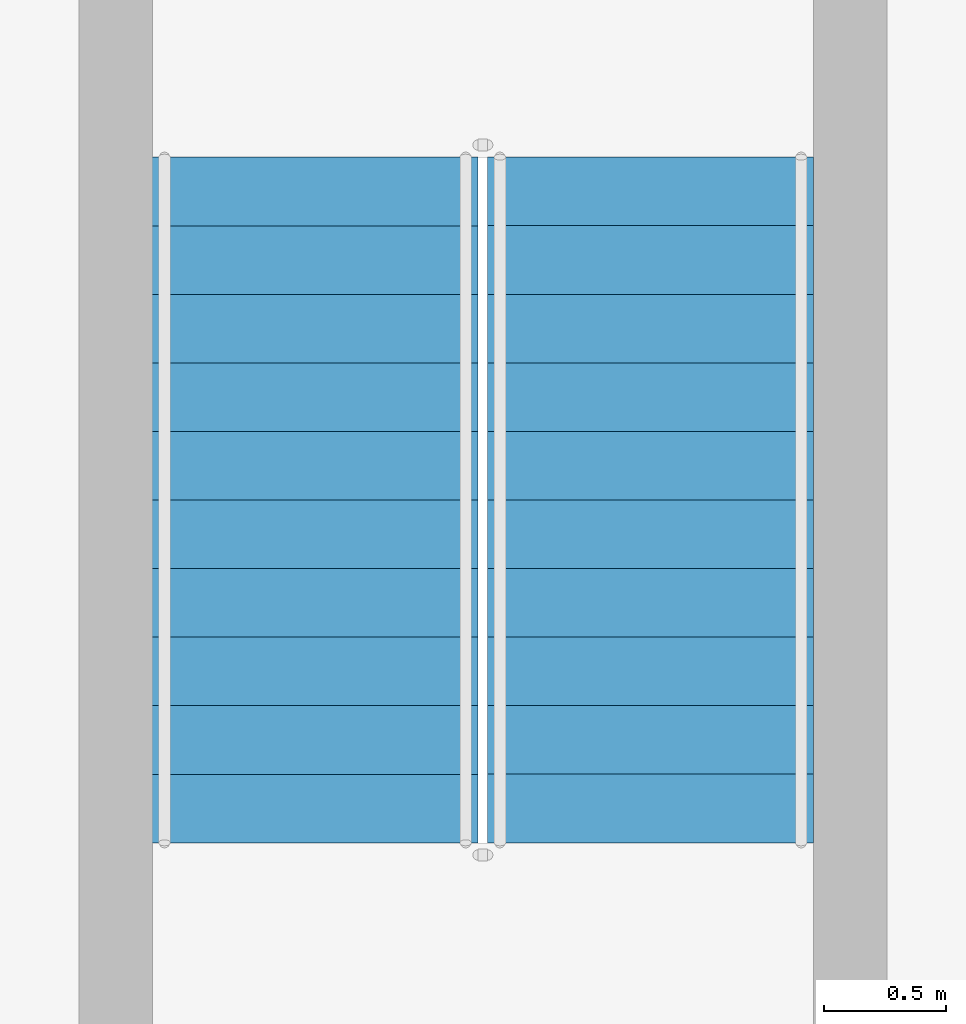
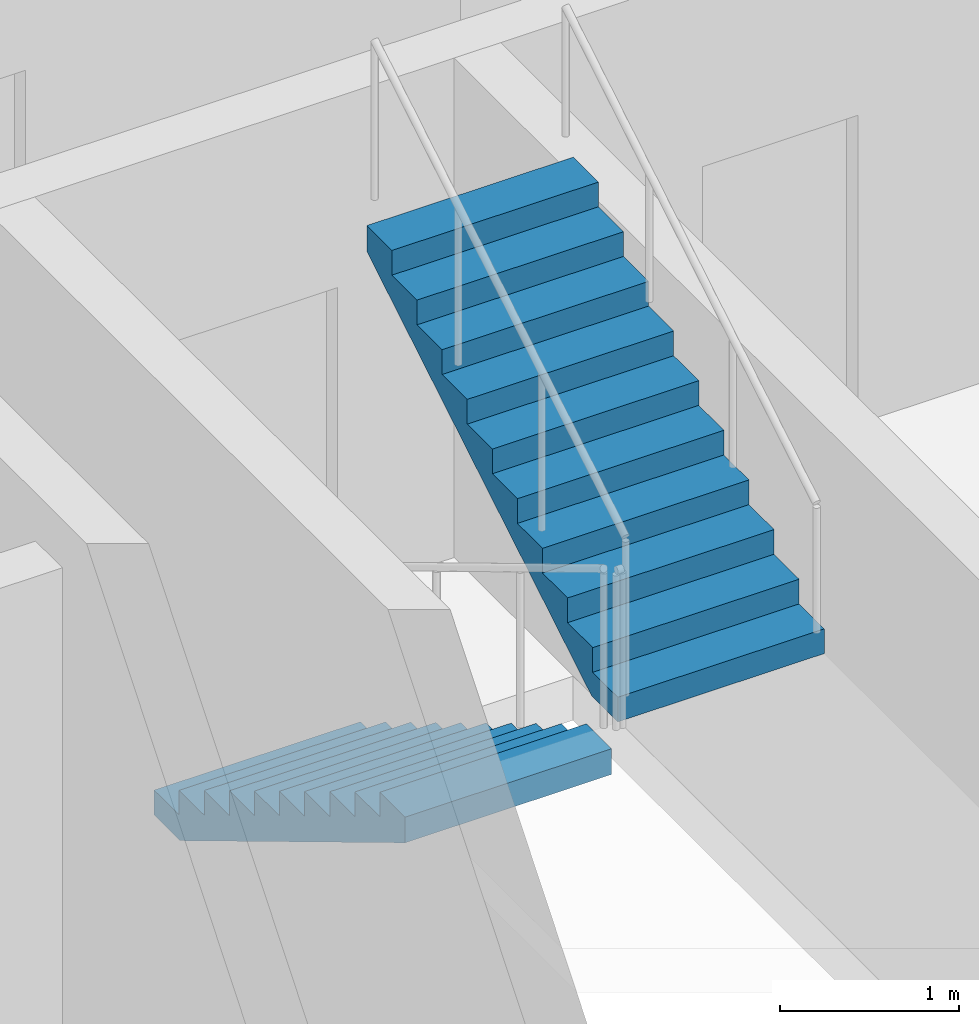
# One storey, part 25 of 31: 2 stair flights, 1 element without a shape of its own.
"""IFC4 building model written with IfcOpenShell, lengths in metres."""

from ifc_helpers import new_model, si_unit, direction, frame, origin, place, context, subcontext, project, spatial, triangles, source, transform, mapped, material, type_object, element, aggregate, save


model = new_model("IFC4")

# Units and contexts
model_context = context("Model", 3, precision=1e-05, world=origin(), true_north=direction((0.0, 1.0)))
body_context = subcontext(model_context, "Body", "Model", "MODEL_VIEW")
ifc_project = project(units=[si_unit("LENGTHUNIT", "METRE"), si_unit("AREAUNIT", "SQUARE_METRE"), si_unit("VOLUMEUNIT", "CUBIC_METRE"), si_unit("PLANEANGLEUNIT", "RADIAN"), si_unit("MASSUNIT", "GRAM", prefix="KILO")], contexts=[model_context])

# Site, building, storey
site_placement = place(None, origin())
site = spatial("IfcSite", under=ifc_project, at=site_placement, CompositionType="ELEMENT")
building_placement = place(site_placement, origin())
building = spatial("IfcBuilding", under=site, at=building_placement, Name="Ogive Portal Towers", CompositionType="ELEMENT")
storey_placement = place(building_placement, frame((0.0, 0.0, 40.89990234375)))
storey = spatial("IfcBuildingStorey", under=building, at=storey_placement, Name="L08", CompositionType="ELEMENT", Elevation=40.89990234375)

# Stair, stair flights
ifc_material = material(Name="Concrete C40/50", Category="concrete")
stair_type = type_object("IfcStairType", Name="INT-STAIR", PredefinedType="HALF_TURN_STAIR", material=ifc_material)
stair_placement = place(storey_placement, origin())
stair = element("IfcStair", 1, at=stair_placement, inside=storey, type_object=stair_type, Name="L08 Exit Stair ST-A4", PredefinedType="HALF_TURN_STAIR")
stair_flight_type = type_object("IfcStairFlightType", Name="INT-FLIGHT", PredefinedType="STRAIGHT", material=ifc_material)
shared_shape = source(origin(), body_context, "Body", "Tessellation", [
    triangles([(0.0, -0.6650390625, 0.0), (0.0, -0.384765625, 0.0), (0.0, -0.197021484375, 0.0), (0.0, -0.0830078125, 0.0), (0.0, -0.024658203125, 0.0), (0.0, -0.003173828125, 0.0), (0.0, 0.0, 0.0), (0.0, 0.003173828125, 0.0), (0.0, 0.024658203125, 0.0), (0.0, 0.0830078125, 0.0), (0.0, 0.197021484375, 0.0), (0.0, 0.384765625, 0.0), (0.0, 0.6650390625, 0.0), (0.0, -0.6650390625, 0.168212890625), (0.0, -0.384765625, 0.168212890625), (0.0, -0.197021484375, 0.168212890625), (0.0, -0.0830078125, 0.168212890625), (0.0, -0.024658203125, 0.168212890625), (0.0, -0.003173828125, 0.168212890625), (0.0, 0.0, 0.168212890625), (0.0, 0.003173828125, 0.168212890625), (0.0, 0.024658203125, 0.168212890625), (0.0, 0.0830078125, 0.168212890625), (0.0, 0.197021484375, 0.168212890625), (0.0, 0.384765625, 0.168212890625), (0.0, 0.6650390625, 0.168212890625), (0.280029296875, -0.6650390625, 0.168212890625), (0.280029296875, -0.384765625, 0.168212890625), (0.280029296875, -0.197021484375, 0.168212890625), (0.280029296875, -0.0830078125, 0.168212890625), (0.280029296875, -0.024658203125, 0.168212890625), (0.280029296875, -0.003173828125, 0.168212890625), (0.280029296875, 0.0, 0.168212890625), (0.280029296875, 0.003173828125, 0.168212890625), (0.280029296875, 0.024658203125, 0.168212890625), (0.280029296875, 0.0830078125, 0.168212890625), (0.280029296875, 0.197021484375, 0.168212890625), (0.280029296875, 0.384765625, 0.168212890625), (0.280029296875, 0.6650390625, 0.168212890625), (0.280029296875, -0.6650390625, 0.33642578125), (0.280029296875, -0.384765625, 0.33642578125), (0.280029296875, -0.197021484375, 0.33642578125), (0.280029296875, -0.0830078125, 0.33642578125), (0.280029296875, -0.024658203125, 0.33642578125), (0.280029296875, -0.003173828125, 0.33642578125), (0.280029296875, 0.0, 0.33642578125), (0.280029296875, 0.003173828125, 0.33642578125), (0.280029296875, 0.024658203125, 0.33642578125), (0.280029296875, 0.0830078125, 0.33642578125), (0.280029296875, 0.197021484375, 0.33642578125), (0.280029296875, 0.384765625, 0.33642578125), (0.280029296875, 0.6650390625, 0.33642578125), (0.56005859375, -0.6650390625, 0.33642578125), (0.56005859375, -0.384765625, 0.33642578125), (0.56005859375, -0.197021484375, 0.33642578125), (0.56005859375, -0.0830078125, 0.33642578125), (0.56005859375, -0.024658203125, 0.33642578125), (0.56005859375, -0.003173828125, 0.33642578125), (0.56005859375, 0.0, 0.33642578125), (0.56005859375, 0.003173828125, 0.33642578125), (0.56005859375, 0.024658203125, 0.33642578125), (0.56005859375, 0.0830078125, 0.33642578125), (0.56005859375, 0.197021484375, 0.33642578125), (0.56005859375, 0.384765625, 0.33642578125), (0.56005859375, 0.6650390625, 0.33642578125), (0.56005859375, -0.6650390625, 0.504638671875), (0.56005859375, -0.384765625, 0.504638671875), (0.56005859375, -0.197021484375, 0.504638671875), (0.56005859375, -0.0830078125, 0.504638671875), (0.56005859375, -0.024658203125, 0.504638671875), (0.56005859375, -0.003173828125, 0.504638671875), (0.56005859375, 0.0, 0.504638671875), (0.56005859375, 0.003173828125, 0.504638671875), (0.56005859375, 0.024658203125, 0.504638671875), (0.56005859375, 0.0830078125, 0.504638671875), (0.56005859375, 0.197021484375, 0.504638671875), (0.56005859375, 0.384765625, 0.504638671875), (0.56005859375, 0.6650390625, 0.504638671875), (0.840087890625, -0.6650390625, 0.504638671875), (0.840087890625, -0.384765625, 0.504638671875), (0.840087890625, -0.197021484375, 0.504638671875), (0.840087890625, -0.0830078125, 0.504638671875), (0.840087890625, -0.024658203125, 0.504638671875), (0.840087890625, -0.003173828125, 0.504638671875), (0.840087890625, 0.0, 0.504638671875), (0.840087890625, 0.003173828125, 0.504638671875), (0.840087890625, 0.024658203125, 0.504638671875), (0.840087890625, 0.0830078125, 0.504638671875), (0.840087890625, 0.197021484375, 0.504638671875), (0.840087890625, 0.384765625, 0.504638671875), (0.840087890625, 0.6650390625, 0.504638671875), (0.840087890625, -0.6650390625, 0.672607421875), (0.840087890625, -0.384765625, 0.672607421875), (0.840087890625, -0.197021484375, 0.672607421875), (0.840087890625, -0.0830078125, 0.672607421875), (0.840087890625, -0.024658203125, 0.672607421875), (0.840087890625, -0.003173828125, 0.672607421875), (0.840087890625, 0.0, 0.672607421875), (0.840087890625, 0.003173828125, 0.672607421875), (0.840087890625, 0.024658203125, 0.672607421875), (0.840087890625, 0.0830078125, 0.672607421875), (0.840087890625, 0.197021484375, 0.672607421875), (0.840087890625, 0.384765625, 0.672607421875), (0.840087890625, 0.6650390625, 0.672607421875), (1.1201171875, -0.6650390625, 0.672607421875), (1.1201171875, -0.384765625, 0.672607421875), (1.1201171875, -0.197021484375, 0.672607421875), (1.1201171875, -0.0830078125, 0.672607421875), (1.1201171875, -0.024658203125, 0.672607421875), (1.1201171875, -0.003173828125, 0.672607421875), (1.1201171875, 0.0, 0.672607421875), (1.1201171875, 0.003173828125, 0.672607421875), (1.1201171875, 0.024658203125, 0.672607421875), (1.1201171875, 0.0830078125, 0.672607421875), (1.1201171875, 0.197021484375, 0.672607421875), (1.1201171875, 0.384765625, 0.672607421875), (1.1201171875, 0.6650390625, 0.672607421875), (1.1201171875, -0.6650390625, 0.8408203125), (1.1201171875, -0.384765625, 0.8408203125), (1.1201171875, -0.197021484375, 0.8408203125), (1.1201171875, -0.0830078125, 0.8408203125), (1.1201171875, -0.024658203125, 0.8408203125), (1.1201171875, -0.003173828125, 0.8408203125), (1.1201171875, 0.0, 0.8408203125), (1.1201171875, 0.003173828125, 0.8408203125), (1.1201171875, 0.024658203125, 0.8408203125), (1.1201171875, 0.0830078125, 0.8408203125), (1.1201171875, 0.197021484375, 0.8408203125), (1.1201171875, 0.384765625, 0.8408203125), (1.1201171875, 0.6650390625, 0.8408203125), (1.39990234375, -0.6650390625, 0.8408203125), (1.39990234375, -0.384765625, 0.8408203125), (1.39990234375, -0.197021484375, 0.8408203125), (1.39990234375, -0.0830078125, 0.8408203125), (1.39990234375, -0.024658203125, 0.8408203125), (1.39990234375, -0.003173828125, 0.8408203125), (1.39990234375, 0.0, 0.8408203125), (1.39990234375, 0.003173828125, 0.8408203125), (1.39990234375, 0.024658203125, 0.8408203125), (1.39990234375, 0.0830078125, 0.8408203125), (1.39990234375, 0.197021484375, 0.8408203125), (1.39990234375, 0.384765625, 0.8408203125), (1.39990234375, 0.6650390625, 0.8408203125), (1.39990234375, -0.6650390625, 1.009033203125), (1.39990234375, -0.384765625, 1.009033203125), (1.39990234375, -0.197021484375, 1.009033203125), (1.39990234375, -0.0830078125, 1.009033203125), (1.39990234375, -0.024658203125, 1.009033203125), (1.39990234375, -0.003173828125, 1.009033203125), (1.39990234375, 0.0, 1.009033203125), (1.39990234375, 0.003173828125, 1.009033203125), (1.39990234375, 0.024658203125, 1.009033203125), (1.39990234375, 0.0830078125, 1.009033203125), (1.39990234375, 0.197021484375, 1.009033203125), (1.39990234375, 0.384765625, 1.009033203125), (1.39990234375, 0.6650390625, 1.009033203125), (1.679931640625, -0.6650390625, 1.009033203125), (1.679931640625, -0.384765625, 1.009033203125), (1.679931640625, -0.197021484375, 1.009033203125), (1.679931640625, -0.0830078125, 1.009033203125), (1.679931640625, -0.024658203125, 1.009033203125), (1.679931640625, -0.003173828125, 1.009033203125), (1.679931640625, 0.0, 1.009033203125), (1.679931640625, 0.003173828125, 1.009033203125), (1.679931640625, 0.024658203125, 1.009033203125), (1.679931640625, 0.0830078125, 1.009033203125), (1.679931640625, 0.197021484375, 1.009033203125), (1.679931640625, 0.384765625, 1.009033203125), (1.679931640625, 0.6650390625, 1.009033203125), (1.679931640625, -0.6650390625, 1.17724609375), (1.679931640625, -0.384765625, 1.17724609375), (1.679931640625, -0.197021484375, 1.17724609375), (1.679931640625, -0.0830078125, 1.17724609375), (1.679931640625, -0.024658203125, 1.17724609375), (1.679931640625, -0.003173828125, 1.17724609375), (1.679931640625, 0.0, 1.17724609375), (1.679931640625, 0.003173828125, 1.17724609375), (1.679931640625, 0.024658203125, 1.17724609375), (1.679931640625, 0.0830078125, 1.17724609375), (1.679931640625, 0.197021484375, 1.17724609375), (1.679931640625, 0.384765625, 1.17724609375), (1.679931640625, 0.6650390625, 1.17724609375), (1.9599609375, -0.6650390625, 1.17724609375), (1.9599609375, -0.384765625, 1.17724609375), (1.9599609375, -0.197021484375, 1.17724609375), (1.9599609375, -0.0830078125, 1.17724609375), (1.9599609375, -0.024658203125, 1.17724609375), (1.9599609375, -0.003173828125, 1.17724609375), (1.9599609375, 0.0, 1.17724609375), (1.9599609375, 0.003173828125, 1.17724609375), (1.9599609375, 0.024658203125, 1.17724609375), (1.9599609375, 0.0830078125, 1.17724609375), (1.9599609375, 0.197021484375, 1.17724609375), (1.9599609375, 0.384765625, 1.17724609375), (1.9599609375, 0.6650390625, 1.17724609375), (1.9599609375, -0.6650390625, 1.345458984375), (1.9599609375, -0.384765625, 1.345458984375), (1.9599609375, -0.197021484375, 1.345458984375), (1.9599609375, -0.0830078125, 1.345458984375), (1.9599609375, -0.024658203125, 1.345458984375), (1.9599609375, -0.003173828125, 1.345458984375), (1.9599609375, 0.0, 1.345458984375), (1.9599609375, 0.003173828125, 1.345458984375), (1.9599609375, 0.024658203125, 1.345458984375), (1.9599609375, 0.0830078125, 1.345458984375), (1.9599609375, 0.197021484375, 1.345458984375), (1.9599609375, 0.384765625, 1.345458984375), (1.9599609375, 0.6650390625, 1.345458984375), (2.239990234375, -0.6650390625, 1.345458984375), (2.239990234375, -0.384765625, 1.345458984375), (2.239990234375, -0.197021484375, 1.345458984375), (2.239990234375, -0.0830078125, 1.345458984375), (2.239990234375, -0.024658203125, 1.345458984375), (2.239990234375, -0.003173828125, 1.345458984375), (2.239990234375, 0.0, 1.345458984375), (2.239990234375, 0.003173828125, 1.345458984375), (2.239990234375, 0.024658203125, 1.345458984375), (2.239990234375, 0.0830078125, 1.345458984375), (2.239990234375, 0.197021484375, 1.345458984375), (2.239990234375, 0.384765625, 1.345458984375), (2.239990234375, 0.6650390625, 1.345458984375), (2.239990234375, -0.6650390625, 1.513671875), (2.239990234375, -0.384765625, 1.513671875), (2.239990234375, -0.197021484375, 1.513671875), (2.239990234375, -0.0830078125, 1.513671875), (2.239990234375, -0.024658203125, 1.513671875), (2.239990234375, -0.003173828125, 1.513671875), (2.239990234375, 0.0, 1.513671875), (2.239990234375, 0.003173828125, 1.513671875), (2.239990234375, 0.024658203125, 1.513671875), (2.239990234375, 0.0830078125, 1.513671875), (2.239990234375, 0.197021484375, 1.513671875), (2.239990234375, 0.384765625, 1.513671875), (2.239990234375, 0.6650390625, 1.513671875), (2.52001953125, -0.6650390625, 1.513671875), (2.52001953125, -0.384765625, 1.513671875), (2.52001953125, -0.197021484375, 1.513671875), (2.52001953125, -0.0830078125, 1.513671875), (2.52001953125, -0.024658203125, 1.513671875), (2.52001953125, -0.003173828125, 1.513671875), (2.52001953125, 0.0, 1.513671875), (2.52001953125, 0.003173828125, 1.513671875), (2.52001953125, 0.024658203125, 1.513671875), (2.52001953125, 0.0830078125, 1.513671875), (2.52001953125, 0.197021484375, 1.513671875), (2.52001953125, 0.384765625, 1.513671875), (2.52001953125, 0.6650390625, 1.513671875), (2.52001953125, -0.6650390625, 1.681884765625), (2.52001953125, -0.384765625, 1.681884765625), (2.52001953125, -0.197021484375, 1.681884765625), (2.52001953125, -0.0830078125, 1.681884765625), (2.52001953125, -0.024658203125, 1.681884765625), (2.52001953125, -0.003173828125, 1.681884765625), (2.52001953125, 0.0, 1.681884765625), (2.52001953125, 0.003173828125, 1.681884765625), (2.52001953125, 0.024658203125, 1.681884765625), (2.52001953125, 0.0830078125, 1.681884765625), (2.52001953125, 0.197021484375, 1.681884765625), (2.52001953125, 0.384765625, 1.681884765625), (2.52001953125, 0.6650390625, 1.681884765625), (2.800048828125, -0.6650390625, 1.681884765625), (2.800048828125, -0.384765625, 1.681884765625), (2.800048828125, -0.197021484375, 1.681884765625), (2.800048828125, -0.0830078125, 1.681884765625), (2.800048828125, -0.024658203125, 1.681884765625), (2.800048828125, -0.003173828125, 1.681884765625), (2.800048828125, 0.0, 1.681884765625), (2.800048828125, 0.003173828125, 1.681884765625), (2.800048828125, 0.024658203125, 1.681884765625), (2.800048828125, 0.0830078125, 1.681884765625), (2.800048828125, 0.197021484375, 1.681884765625), (2.800048828125, 0.384765625, 1.681884765625), (2.800048828125, 0.6650390625, 1.681884765625), (2.800048828125, -0.6650390625, 1.5068359375), (2.800048828125, -0.384765625, 1.5068359375), (2.800048828125, -0.197021484375, 1.5068359375), (2.800048828125, -0.0830078125, 1.5068359375), (2.800048828125, -0.024658203125, 1.5068359375), (2.800048828125, -0.003173828125, 1.5068359375), (2.800048828125, 0.0, 1.5068359375), (2.800048828125, 0.003173828125, 1.5068359375), (2.800048828125, 0.024658203125, 1.5068359375), (2.800048828125, 0.0830078125, 1.5068359375), (2.800048828125, 0.197021484375, 1.5068359375), (2.800048828125, 0.384765625, 1.5068359375), (2.800048828125, 0.6650390625, 1.5068359375), (0.291015625, -0.6650390625, 0.0), (0.291015625, -0.384765625, 0.0), (0.291015625, -0.197021484375, 0.0), (0.291015625, -0.0830078125, 0.0), (0.291015625, -0.024658203125, 0.0), (0.291015625, -0.003173828125, 0.0), (0.291015625, 0.0, 0.0), (0.291015625, 0.003173828125, 0.0), (0.291015625, 0.024658203125, 0.0), (0.291015625, 0.0830078125, 0.0), (0.291015625, 0.197021484375, 0.0), (0.291015625, 0.384765625, 0.0), (0.291015625, 0.6650390625, 0.0)], [[1, 14, 15], [1, 15, 2], [2, 15, 16], [2, 16, 3], [3, 16, 17], [3, 17, 4], [4, 17, 18], [4, 18, 5], [5, 18, 19], [5, 19, 6], [6, 19, 20], [6, 20, 7], [7, 20, 21], [7, 21, 8], [8, 21, 22], [8, 22, 9], [9, 22, 23], [9, 23, 10], [10, 23, 24], [10, 24, 11], [11, 24, 25], [11, 25, 12], [12, 25, 26], [12, 26, 13], [14, 27, 28], [14, 28, 15], [15, 28, 29], [15, 29, 16], [16, 29, 30], [16, 30, 17], [17, 30, 31], [17, 31, 18], [18, 31, 32], [18, 32, 19], [19, 32, 33], [19, 33, 20], [20, 33, 34], [20, 34, 21], [21, 34, 35], [21, 35, 22], [22, 35, 36], [22, 36, 23], [23, 36, 37], [23, 37, 24], [24, 37, 38], [24, 38, 25], [25, 38, 39], [25, 39, 26], [27, 40, 41], [27, 41, 28], [28, 41, 42], [28, 42, 29], [29, 42, 43], [29, 43, 30], [30, 43, 44], [30, 44, 31], [31, 44, 45], [31, 45, 32], [32, 45, 46], [32, 46, 33], [33, 46, 47], [33, 47, 34], [34, 47, 48], [34, 48, 35], [35, 48, 49], [35, 49, 36], [36, 49, 50], [36, 50, 37], [37, 50, 51], [37, 51, 38], [38, 51, 52], [38, 52, 39], [40, 53, 54], [40, 54, 41], [41, 54, 55], [41, 55, 42], [42, 55, 56], [42, 56, 43], [43, 56, 57], [43, 57, 44], [44, 57, 58], [44, 58, 45], [45, 58, 59], [45, 59, 46], [46, 59, 60], [46, 60, 47], [47, 60, 61], [47, 61, 48], [48, 61, 62], [48, 62, 49], [49, 62, 63], [49, 63, 50], [50, 63, 64], [50, 64, 51], [51, 64, 65], [51, 65, 52], [53, 66, 67], [53, 67, 54], [54, 67, 68], [54, 68, 55], [55, 68, 69], [55, 69, 56], [56, 69, 70], [56, 70, 57], [57, 70, 71], [57, 71, 58], [58, 71, 72], [58, 72, 59], [59, 72, 73], [59, 73, 60], [60, 73, 74], [60, 74, 61], [61, 74, 75], [61, 75, 62], [62, 75, 76], [62, 76, 63], [63, 76, 77], [63, 77, 64], [64, 77, 78], [64, 78, 65], [66, 79, 80], [66, 80, 67], [67, 80, 81], [67, 81, 68], [68, 81, 82], [68, 82, 69], [69, 82, 83], [69, 83, 70], [70, 83, 84], [70, 84, 71], [71, 84, 85], [71, 85, 72], [72, 85, 86], [72, 86, 73], [73, 86, 87], [73, 87, 74], [74, 87, 88], [74, 88, 75], [75, 88, 89], [75, 89, 76], [76, 89, 90], [76, 90, 77], [77, 90, 91], [77, 91, 78], [79, 92, 93], [79, 93, 80], [80, 93, 94], [80, 94, 81], [81, 94, 95], [81, 95, 82], [82, 95, 96], [82, 96, 83], [83, 96, 97], [83, 97, 84], [84, 97, 98], [84, 98, 85], [85, 98, 99], [85, 99, 86], [86, 99, 100], [86, 100, 87], [87, 100, 101], [87, 101, 88], [88, 101, 102], [88, 102, 89], [89, 102, 103], [89, 103, 90], [90, 103, 104], [90, 104, 91], [92, 105, 106], [92, 106, 93], [93, 106, 107], [93, 107, 94], [94, 107, 108], [94, 108, 95], [95, 108, 109], [95, 109, 96], [96, 109, 110], [96, 110, 97], [97, 110, 111], [97, 111, 98], [98, 111, 112], [98, 112, 99], [99, 112, 113], [99, 113, 100], [100, 113, 114], [100, 114, 101], [101, 114, 115], [101, 115, 102], [102, 115, 116], [102, 116, 103], [103, 116, 117], [103, 117, 104], [105, 118, 119], [105, 119, 106], [106, 119, 120], [106, 120, 107], [107, 120, 121], [107, 121, 108], [108, 121, 122], [108, 122, 109], [109, 122, 123], [109, 123, 110], [110, 123, 124], [110, 124, 111], [111, 124, 125], [111, 125, 112], [112, 125, 126], [112, 126, 113], [113, 126, 127], [113, 127, 114], [114, 127, 128], [114, 128, 115], [115, 128, 129], [115, 129, 116], [116, 129, 130], [116, 130, 117], [118, 131, 132], [118, 132, 119], [119, 132, 133], [119, 133, 120], [120, 133, 134], [120, 134, 121], [121, 134, 135], [121, 135, 122], [122, 135, 136], [122, 136, 123], [123, 136, 137], [123, 137, 124], [124, 137, 138], [124, 138, 125], [125, 138, 139], [125, 139, 126], [126, 139, 140], [126, 140, 127], [127, 140, 141], [127, 141, 128], [128, 141, 142], [128, 142, 129], [129, 142, 143], [129, 143, 130], [131, 144, 145], [131, 145, 132], [132, 145, 146], [132, 146, 133], [133, 146, 147], [133, 147, 134], [134, 147, 148], [134, 148, 135], [135, 148, 149], [135, 149, 136], [136, 149, 150], [136, 150, 137], [137, 150, 151], [137, 151, 138], [138, 151, 152], [138, 152, 139], [139, 152, 153], [139, 153, 140], [140, 153, 154], [140, 154, 141], [141, 154, 155], [141, 155, 142], [142, 155, 156], [142, 156, 143], [144, 157, 158], [144, 158, 145], [145, 158, 159], [145, 159, 146], [146, 159, 160], [146, 160, 147], [147, 160, 161], [147, 161, 148], [148, 161, 162], [148, 162, 149], [149, 162, 163], [149, 163, 150], [150, 163, 164], [150, 164, 151], [151, 164, 165], [151, 165, 152], [152, 165, 166], [152, 166, 153], [153, 166, 167], [153, 167, 154], [154, 167, 168], [154, 168, 155], [155, 168, 169], [155, 169, 156], [157, 170, 171], [157, 171, 158], [158, 171, 172], [158, 172, 159], [159, 172, 173], [159, 173, 160], [160, 173, 174], [160, 174, 161], [161, 174, 175], [161, 175, 162], [162, 175, 176], [162, 176, 163], [163, 176, 177], [163, 177, 164], [164, 177, 178], [164, 178, 165], [165, 178, 179], [165, 179, 166], [166, 179, 180], [166, 180, 167], [167, 180, 181], [167, 181, 168], [168, 181, 182], [168, 182, 169], [170, 183, 184], [170, 184, 171], [171, 184, 185], [171, 185, 172], [172, 185, 186], [172, 186, 173], [173, 186, 187], [173, 187, 174], [174, 187, 188], [174, 188, 175], [175, 188, 189], [175, 189, 176], [176, 189, 190], [176, 190, 177], [177, 190, 191], [177, 191, 178], [178, 191, 192], [178, 192, 179], [179, 192, 193], [179, 193, 180], [180, 193, 194], [180, 194, 181], [181, 194, 195], [181, 195, 182], [183, 196, 197], [183, 197, 184], [184, 197, 198], [184, 198, 185], [185, 198, 199], [185, 199, 186], [186, 199, 200], [186, 200, 187], [187, 200, 201], [187, 201, 188], [188, 201, 202], [188, 202, 189], [189, 202, 203], [189, 203, 190], [190, 203, 204], [190, 204, 191], [191, 204, 205], [191, 205, 192], [192, 205, 206], [192, 206, 193], [193, 206, 207], [193, 207, 194], [194, 207, 208], [194, 208, 195], [196, 209, 210], [196, 210, 197], [197, 210, 211], [197, 211, 198], [198, 211, 212], [198, 212, 199], [199, 212, 213], [199, 213, 200], [200, 213, 214], [200, 214, 201], [201, 214, 215], [201, 215, 202], [202, 215, 216], [202, 216, 203], [203, 216, 217], [203, 217, 204], [204, 217, 218], [204, 218, 205], [205, 218, 219], [205, 219, 206], [206, 219, 220], [206, 220, 207], [207, 220, 221], [207, 221, 208], [209, 222, 223], [209, 223, 210], [210, 223, 224], [210, 224, 211], [211, 224, 225], [211, 225, 212], [212, 225, 226], [212, 226, 213], [213, 226, 227], [213, 227, 214], [214, 227, 228], [214, 228, 215], [215, 228, 229], [215, 229, 216], [216, 229, 230], [216, 230, 217], [217, 230, 231], [217, 231, 218], [218, 231, 232], [218, 232, 219], [219, 232, 233], [219, 233, 220], [220, 233, 234], [220, 234, 221], [222, 235, 236], [222, 236, 223], [223, 236, 237], [223, 237, 224], [224, 237, 238], [224, 238, 225], [225, 238, 239], [225, 239, 226], [226, 239, 240], [226, 240, 227], [227, 240, 241], [227, 241, 228], [228, 241, 242], [228, 242, 229], [229, 242, 243], [229, 243, 230], [230, 243, 244], [230, 244, 231], [231, 244, 245], [231, 245, 232], [232, 245, 246], [232, 246, 233], [233, 246, 247], [233, 247, 234], [235, 248, 249], [235, 249, 236], [236, 249, 250], [236, 250, 237], [237, 250, 251], [237, 251, 238], [238, 251, 252], [238, 252, 239], [239, 252, 253], [239, 253, 240], [240, 253, 254], [240, 254, 241], [241, 254, 255], [241, 255, 242], [242, 255, 256], [242, 256, 243], [243, 256, 257], [243, 257, 244], [244, 257, 258], [244, 258, 245], [245, 258, 259], [245, 259, 246], [246, 259, 260], [246, 260, 247], [248, 261, 262], [248, 262, 249], [249, 262, 263], [249, 263, 250], [250, 263, 264], [250, 264, 251], [251, 264, 265], [251, 265, 252], [252, 265, 266], [252, 266, 253], [253, 266, 267], [253, 267, 254], [254, 267, 268], [254, 268, 255], [255, 268, 269], [255, 269, 256], [256, 269, 270], [256, 270, 257], [257, 270, 271], [257, 271, 258], [258, 271, 272], [258, 272, 259], [259, 272, 273], [259, 273, 260], [261, 274, 275], [261, 275, 262], [262, 275, 276], [262, 276, 263], [263, 276, 277], [263, 277, 264], [264, 277, 278], [264, 278, 265], [265, 278, 279], [265, 279, 266], [266, 279, 280], [266, 280, 267], [267, 280, 281], [267, 281, 268], [268, 281, 282], [268, 282, 269], [269, 282, 283], [269, 283, 270], [270, 283, 284], [270, 284, 271], [271, 284, 285], [271, 285, 272], [272, 285, 286], [272, 286, 273], [274, 287, 288], [274, 288, 275], [275, 288, 289], [275, 289, 276], [276, 289, 290], [276, 290, 277], [277, 290, 291], [277, 291, 278], [278, 291, 292], [278, 292, 279], [279, 292, 293], [279, 293, 280], [280, 293, 294], [280, 294, 281], [281, 294, 295], [281, 295, 282], [282, 295, 296], [282, 296, 283], [283, 296, 297], [283, 297, 284], [284, 297, 298], [284, 298, 285], [285, 298, 299], [285, 299, 286], [287, 1, 2], [287, 2, 288], [288, 2, 3], [288, 3, 289], [289, 3, 4], [289, 4, 290], [290, 4, 5], [290, 5, 291], [291, 5, 6], [291, 6, 292], [292, 6, 7], [292, 7, 293], [293, 7, 8], [293, 8, 294], [294, 8, 9], [294, 9, 295], [295, 9, 10], [295, 10, 296], [296, 10, 11], [296, 11, 297], [297, 11, 12], [297, 12, 298], [298, 12, 13], [298, 13, 299], [1, 287, 274], [13, 286, 299], [274, 261, 248], [286, 260, 273], [274, 248, 235], [286, 247, 260], [274, 235, 222], [286, 234, 247], [274, 222, 209], [286, 221, 234], [209, 196, 183], [221, 195, 208], [274, 209, 183], [286, 195, 221], [183, 170, 157], [195, 169, 182], [274, 183, 157], [286, 169, 195], [157, 144, 131], [169, 143, 156], [274, 157, 131], [286, 143, 169], [131, 118, 105], [143, 117, 130], [274, 131, 105], [286, 117, 143], [1, 274, 105], [13, 117, 286], [105, 92, 79], [117, 91, 104], [79, 66, 53], [91, 65, 78], [105, 79, 53], [117, 65, 91], [53, 40, 27], [65, 39, 52], [105, 53, 27], [117, 39, 65], [1, 105, 27], [13, 39, 117], [27, 14, 1], [39, 13, 26]], closed=True),
])
stair_flight_1_placement = place(storey_placement, frame((87.6650390625, 29.169921875, 0.0), z_axis=(0.0, 0.0, 1.0), x_axis=(0.0, -1.0, 0.0)))
stair_flight_1 = element("IfcStairFlight", 2, at=stair_flight_1_placement, type_object=stair_flight_type, Name="ST-A4 flight 1", NumberOfRisers=11, NumberOfTreads=10, PredefinedType="STRAIGHT", RiserHeight=0.168181818, TreadLength=0.28, context=body_context, shape_type="MappedRepresentation", body=[
    mapped(shared_shape, transform((0.0, 0.0, 0.0), scale=1.0)),
])
stair_flight_2_placement = place(storey_placement, frame((89.034912109375, 26.3701171875, 1.85009765625), z_axis=(0.0, 0.0, 1.0), x_axis=(0.0, 1.0, 0.0)))
stair_flight_2 = element("IfcStairFlight", 3, at=stair_flight_2_placement, type_object=stair_flight_type, Name="ST-A4 flight 2", NumberOfRisers=11, NumberOfTreads=10, PredefinedType="STRAIGHT", RiserHeight=0.168181818, TreadLength=0.28, context=body_context, shape_type="MappedRepresentation", body=[
    mapped(shared_shape, transform((0.0, 0.0, 0.0), scale=1.0)),
])
aggregate(stair, [stair_flight_1, stair_flight_2])

save(model, "model.ifc")
